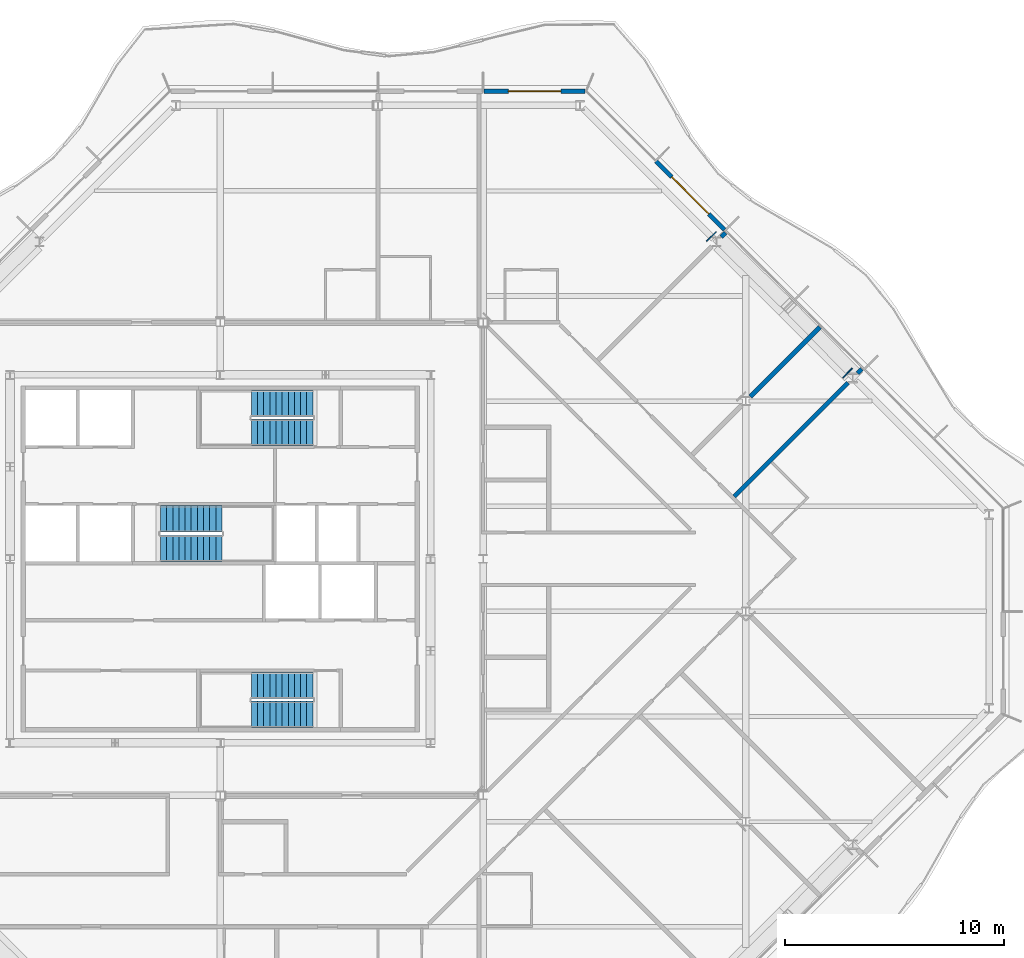
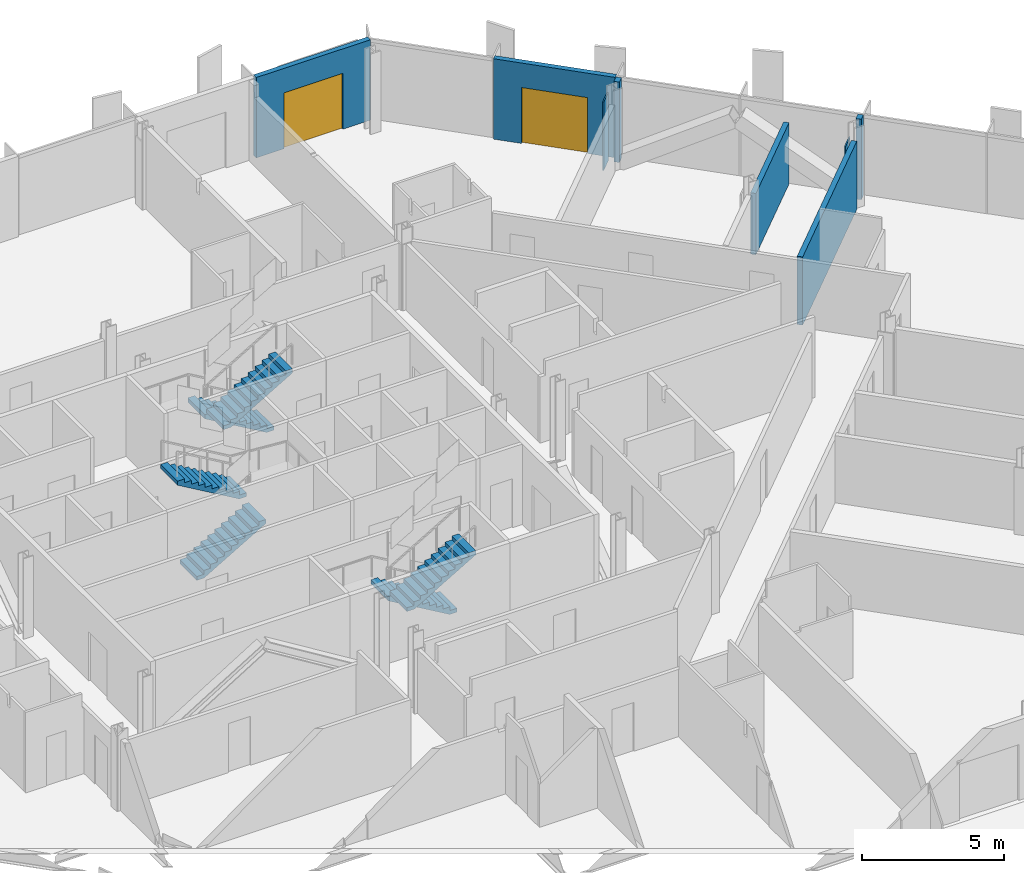
# One storey, part 12 of 17: 8 walls, 6 stair flights, 2 doors, 2 openings, 3 elements without a shape of their own.
"""IFC4 building model written with IfcOpenShell, lengths in metres."""

from ifc_helpers import new_model, si_unit, direction, frame, frame_2d, origin, place, context, subcontext, project, spatial, polyline, rectangle, outline, extrude, material, layer, layer_set, type_object, element, fill, aggregate, save


model = new_model("IFC4")

# Units and contexts
model_context = context("Model", 3, precision=1e-05, world=origin(), true_north=direction((0.0, 1.0)))
body_context = subcontext(model_context, "Body", "Model", "MODEL_VIEW")
ifc_project = project(units=[si_unit("LENGTHUNIT", "METRE"), si_unit("AREAUNIT", "SQUARE_METRE"), si_unit("VOLUMEUNIT", "CUBIC_METRE"), si_unit("PLANEANGLEUNIT", "RADIAN"), si_unit("MASSUNIT", "GRAM", prefix="KILO")], contexts=[model_context])

# Site, building, storey
site_placement = place(None, origin())
site = spatial("IfcSite", under=ifc_project, at=site_placement, CompositionType="ELEMENT")
building_placement = place(site_placement, origin())
building = spatial("IfcBuilding", under=site, at=building_placement, Name="Cairn Pilgrim Tower", CompositionType="ELEMENT")
storey_placement = place(building_placement, frame((0.0, 0.0, 221.39990234375)))
storey = spatial("IfcBuildingStorey", under=building, at=storey_placement, Name="L56", CompositionType="ELEMENT", Elevation=221.39990234375)

# Wall, opening, door
ifc_material_1 = material(Name="Bronze anodised aluminium insulated sandwich panel with mineral wool fill", Category="aluminium")
ifc_layer_1 = layer(ifc_material_1, 0.199951171875)
ifc_layer_set_1 = layer_set([ifc_layer_1], Name="BRONZE INFILL FRAME WALL 200")
wall_type_1 = type_object("IfcWallType", Name="BRONZE INFILL FRAME WALL 200", PredefinedType="NOTDEFINED", material=ifc_layer_set_1)
wall_1_placement = place(storey_placement, frame((30.226318359375, 17.419921875, 0.0), z_axis=(0.0, 0.0, 1.0), x_axis=(-0.707079231393, 0.707134329907, 0.0)))
wall_1 = element("IfcWall", 1, at=wall_1_placement, inside=storey, type_object=wall_type_1, Name="Bronze infill frame wall IW-NE5", PredefinedType="NOTDEFINED", context=body_context, shape_type="SweptSolid", body=[
    extrude(rectangle(XDim=4.430908203125, YDim=0.199951171875, at=frame_2d((2.21533203125, 0.0))), origin(), (0.0, 0.0, 1.0), 3.4501953125),
])
opening_1_placement = place(wall_1_placement, frame((1.01513671875, 0.0, 0.0)))
opening_1 = element("IfcOpeningElement", 2, at=opening_1_placement, cuts=wall_1, Name="Opening 5608B2", PredefinedType="OPENING", context=body_context, shape_type="SweptSolid", body=[
    extrude(rectangle(XDim=2.39990234375, YDim=2.39990234375, at=frame_2d((1.199951171875, 1.199951171875))), frame((0.0, 0.10986328125, 0.0), z_axis=(0.0, -1.0, 0.0), x_axis=(1.0, 0.0, 0.0)), (0.0, 0.0, 1.0), 0.219970703125),
])
ifc_material_2 = material(Name="Bronze anodised aluminium frame with tinted low-E glass", Category="aluminium")
door_type = type_object("IfcDoorType", Name="BALCONY SLIDING DOOR 2400x2400", OperationType="DOUBLE_DOOR_SLIDING", PredefinedType="DOOR", material=ifc_material_2)
door_1_placement = place(opening_1_placement, origin())
door_1 = element("IfcDoor", 3, at=door_1_placement, inside=storey, type_object=door_type, Name="Balcony sliding door 5608B2", OperationType="SINGLE_SWING_LEFT", OverallHeight=2.39990234375, OverallWidth=2.39990234375, PredefinedType="DOOR", context=body_context, shape_type="SweptSolid", body=[
    extrude(rectangle(XDim=2.39990234375, YDim=2.39990234375, at=frame_2d((1.199951171875, 1.199951171875))), frame((0.0, 0.02490234375, 0.0), z_axis=(0.0, -1.0, 0.0), x_axis=(1.0, 0.0, 0.0)), (0.0, 0.0, 1.0), 0.050048828125),
])
fill(opening_1, door_1)

wall_2_placement = place(storey_placement, frame((23.8564453125, 23.75, 0.0), z_axis=(0.0, 0.0, 1.0), x_axis=(-1.0, 0.0, 0.0)))
wall_2 = element("IfcWall", 4, at=wall_2_placement, inside=storey, type_object=wall_type_1, Name="Bronze infill frame wall IW-N1", PredefinedType="NOTDEFINED", context=body_context, shape_type="SweptSolid", body=[
    extrude(rectangle(XDim=4.62646484375, YDim=0.199951171875, at=frame_2d((2.313232421875, 0.0))), origin(), (0.0, 0.0, 1.0), 3.4501953125),
])
opening_2_placement = place(wall_2_placement, frame((1.1083984375, 0.0, 0.0)))
opening_2 = element("IfcOpeningElement", 5, at=opening_2_placement, cuts=wall_2, Name="Opening 5608B", PredefinedType="OPENING", context=body_context, shape_type="SweptSolid", body=[
    extrude(rectangle(XDim=2.39990234375, YDim=2.39990234375, at=frame_2d((1.199951171875, 1.199951171875))), frame((0.0, 0.10986328125, 0.0), z_axis=(0.0, -1.0, 0.0), x_axis=(1.0, 0.0, 0.0)), (0.0, 0.0, 1.0), 0.219970703125),
])
door_2_placement = place(opening_2_placement, origin())
door_2 = element("IfcDoor", 6, at=door_2_placement, inside=storey, type_object=door_type, Name="Balcony sliding door 5608B", OperationType="SINGLE_SWING_LEFT", OverallHeight=2.39990234375, OverallWidth=2.39990234375, PredefinedType="DOOR", context=body_context, shape_type="SweptSolid", body=[
    extrude(rectangle(XDim=2.39990234375, YDim=2.39990234375, at=frame_2d((1.199951171875, 1.199951171875))), frame((0.0, 0.02490234375, 0.0), z_axis=(0.0, -1.0, 0.0), x_axis=(1.0, 0.0, 0.0)), (0.0, 0.0, 1.0), 0.050048828125),
])
fill(opening_2, door_2)

# Walls
ifc_material_3 = material(Name="Gypsum partition")
ifc_layer_2 = layer(ifc_material_3, 0.050048828125)
ifc_layer_set_2 = layer_set([ifc_layer_2], Name="PARTITION 50 DRYWALL EI 60")
wall_type_2 = type_object("IfcWallType", Name="PARTITION 50 DRYWALL EI 60", PredefinedType="PARTITIONING", material=ifc_layer_set_2)
wall_3_placement = place(storey_placement, frame((35.626953125, 10.669189453125, 0.0), z_axis=(0.0, 0.0, 1.0), x_axis=(0.707307009627, 0.706906496032, 0.0)))
element("IfcWall", 7, at=wall_3_placement, inside=storey, type_object=wall_type_2, Name="COLUMN CASING WC19", PredefinedType="PARTITIONING", context=body_context, shape_type="SweptSolid", body=[
    extrude(rectangle(XDim=0.609619140625, YDim=0.050048828125, at=frame_2d((0.3046875, 0.0))), origin(), (0.0, 0.0, 1.0), 2.630126953125),
])
wall_4_placement = place(storey_placement, frame((29.40283203125, 16.893310546875, 0.0), z_axis=(0.0, 0.0, 1.0), x_axis=(0.706906496032, 0.707307009627, 0.0)))
element("IfcWall", 8, at=wall_4_placement, inside=storey, type_object=wall_type_2, Name="COLUMN CASING WC21", PredefinedType="PARTITIONING", context=body_context, shape_type="SweptSolid", body=[
    extrude(rectangle(XDim=0.609619140625, YDim=0.050048828125, at=frame_2d((0.3046875, 0.0))), origin(), (0.0, 0.0, 1.0), 2.93017578125),
])
ifc_layer_3 = layer(ifc_material_3, 0.199951171875)
ifc_layer_set_3 = layer_set([ifc_layer_3], Name="SHAFT WALL 200 GYPSUM EI 60")
wall_type_3 = type_object("IfcWallType", Name="SHAFT WALL 200 GYPSUM EI 60", PredefinedType="PARTITIONING", material=ifc_layer_set_3)
wall_5_placement = place(storey_placement, frame((30.662109375, 5.238037109375, 0.0), z_axis=(0.0, 0.0, 1.0), x_axis=(0.707106781187, 0.707106781187, 0.0)))
element("IfcWall", 9, at=wall_5_placement, inside=storey, type_object=wall_type_3, Name="PARTITION W054", PredefinedType="PARTITIONING", context=body_context, shape_type="SweptSolid", body=[
    extrude(rectangle(XDim=7.35107421875, YDim=0.199951171875, at=frame_2d((3.675537109375, 0.0))), origin(), (0.0, 0.0, 1.0), 2.93017578125),
])
wall_6_placement = place(storey_placement, frame((31.39794921875, 9.798095703125, 0.0), z_axis=(0.0, 0.0, 1.0), x_axis=(0.707133900936, 0.707079660397, 0.0)))
element("IfcWall", 10, at=wall_6_placement, inside=storey, type_object=wall_type_3, Name="PARTITION W059", PredefinedType="PARTITIONING", context=body_context, shape_type="SweptSolid", body=[
    extrude(rectangle(XDim=4.5009765625, YDim=0.199951171875, at=frame_2d((2.25048828125, 0.0))), origin(), (0.0, 0.0, 1.0), 2.630126953125),
])
wall_7_placement = place(storey_placement, frame((36.291015625, 10.8671875, 0.0), z_axis=(0.0, 0.0, 1.0), x_axis=(0.707534423513, 0.706678880075, 0.0)))
element("IfcWall", 11, at=wall_7_placement, inside=storey, type_object=wall_type_3, Name="PARTITION W060", PredefinedType="PARTITIONING", context=body_context, shape_type="SweptSolid", body=[
    extrude(rectangle(XDim=0.285400390625, YDim=0.199951171875, at=frame_2d((0.142578125, 0.0))), origin(), (0.0, 0.0, 1.0), 3.4501953125),
])
wall_8_placement = place(storey_placement, frame((30.067138671875, 17.091064453125, 0.0), z_axis=(0.0, 0.0, 1.0), x_axis=(0.707106781187, 0.707106781187, 0.0)))
element("IfcWall", 12, at=wall_8_placement, inside=storey, type_object=wall_type_3, Name="PARTITION W074", PredefinedType="PARTITIONING", context=body_context, shape_type="SweptSolid", body=[
    extrude(rectangle(XDim=0.28515625, YDim=0.199951171875, at=frame_2d((0.142578125, 0.0))), origin(), (0.0, 0.0, 1.0), 3.4501953125),
])

# Stair, stair flights
ifc_material_4 = material(Name="Concrete C32/40", Category="concrete")
stair_type = type_object("IfcStairType", Name="EXIT STAIR 1200", PredefinedType="HALF_TURN_STAIR", material=ifc_material_4)
stair_1_placement = place(storey_placement, origin())
stair_1 = element("IfcStair", 13, at=stair_1_placement, inside=storey, type_object=stair_type, Name="L56 Exit Stair A", PredefinedType="HALF_TURN_STAIR")
stair_flight_type = type_object("IfcStairFlightType", Name="STAIR FLIGHT 1200", PredefinedType="STRAIGHT", material=ifc_material_4)
stair_flight_1_placement = place(storey_placement, frame((11.425048828125, -3.375, 0.0), z_axis=(0.0, 0.0, 1.0), x_axis=(-1.0, 0.0, 0.0)))
stair_flight_1 = element("IfcStairFlight", 14, at=stair_flight_1_placement, type_object=stair_flight_type, Name="ST-A flight 1", NumberOfRisers=11, NumberOfTreads=10, PredefinedType="STRAIGHT", RiserHeight=0.163636364, TreadLength=0.28, context=body_context, shape_type="SweptSolid", body=[
    extrude(outline(polyline([(0.0, 0.0), (0.0, 0.16357421875), (0.280029296875, 0.16357421875), (0.280029296875, 0.327392578125), (0.56005859375, 0.327392578125), (0.56005859375, 0.490966796875), (0.840087890625, 0.490966796875), (0.840087890625, 0.654541015625), (1.1201171875, 0.654541015625), (1.1201171875, 0.818115234375), (1.39990234375, 0.818115234375), (1.39990234375, 0.98193359375), (1.679931640625, 0.98193359375), (1.679931640625, 1.1455078125), (1.9599609375, 1.1455078125), (1.9599609375, 1.30908203125), (2.239990234375, 1.30908203125), (2.239990234375, 1.47265625), (2.52001953125, 1.47265625), (2.52001953125, 1.636474609375), (2.800048828125, 1.636474609375), (2.800048828125, 1.800048828125), (2.800048828125, 1.462646484375), (0.297119140625, 0.0), (0.0, 0.0)])), frame((0.0, 0.60009765625, 0.0), z_axis=(0.0, -1.0, 0.0), x_axis=(1.0, 0.0, 0.0)), (0.0, 0.0, 1.0), 1.199951171875),
])
stair_flight_2_placement = place(storey_placement, frame((8.625, -4.699951171875, 1.800048828125), z_axis=(0.0, 0.0, 1.0), x_axis=(1.0, 0.0, 0.0)))
stair_flight_2 = element("IfcStairFlight", 15, at=stair_flight_2_placement, type_object=stair_flight_type, Name="ST-A flight 2", NumberOfRisers=11, NumberOfTreads=10, PredefinedType="STRAIGHT", RiserHeight=0.163636364, TreadLength=0.28, context=body_context, shape_type="SweptSolid", body=[
    extrude(outline(polyline([(0.0, 0.0), (0.0, 0.16357421875), (0.280029296875, 0.16357421875), (0.280029296875, 0.327392578125), (0.56005859375, 0.327392578125), (0.56005859375, 0.490966796875), (0.840087890625, 0.490966796875), (0.840087890625, 0.654541015625), (1.1201171875, 0.654541015625), (1.1201171875, 0.818115234375), (1.39990234375, 0.818115234375), (1.39990234375, 0.98193359375), (1.679931640625, 0.98193359375), (1.679931640625, 1.1455078125), (1.9599609375, 1.1455078125), (1.9599609375, 1.30908203125), (2.239990234375, 1.30908203125), (2.239990234375, 1.47265625), (2.52001953125, 1.47265625), (2.52001953125, 1.636474609375), (2.800048828125, 1.636474609375), (2.800048828125, 1.800048828125), (2.800048828125, 1.462646484375), (0.297119140625, 0.0), (0.0, 0.0)])), frame((0.0, 0.60009765625, 0.0), z_axis=(0.0, -1.0, 0.0), x_axis=(1.0, 0.0, 0.0)), (0.0, 0.0, 1.0), 1.199951171875),
])
aggregate(stair_1, [stair_flight_1, stair_flight_2])

stair_2_placement = place(storey_placement, origin())
stair_2 = element("IfcStair", 16, at=stair_2_placement, inside=storey, type_object=stair_type, Name="L56 Exit Stair B", PredefinedType="HALF_TURN_STAIR")
stair_flight_3_placement = place(storey_placement, frame((4.47509765625, 2.875, 0.0), z_axis=(0.0, 0.0, 1.0), x_axis=(1.0, 0.0, 0.0)))
stair_flight_3 = element("IfcStairFlight", 17, at=stair_flight_3_placement, type_object=stair_flight_type, Name="ST-B flight 1", NumberOfRisers=11, NumberOfTreads=10, PredefinedType="STRAIGHT", RiserHeight=0.163636364, TreadLength=0.28, context=body_context, shape_type="SweptSolid", body=[
    extrude(outline(polyline([(0.0, 0.0), (0.0, 0.16357421875), (0.280029296875, 0.16357421875), (0.280029296875, 0.327392578125), (0.56005859375, 0.327392578125), (0.56005859375, 0.490966796875), (0.840087890625, 0.490966796875), (0.840087890625, 0.654541015625), (1.1201171875, 0.654541015625), (1.1201171875, 0.818115234375), (1.39990234375, 0.818115234375), (1.39990234375, 0.98193359375), (1.679931640625, 0.98193359375), (1.679931640625, 1.1455078125), (1.9599609375, 1.1455078125), (1.9599609375, 1.30908203125), (2.239990234375, 1.30908203125), (2.239990234375, 1.47265625), (2.52001953125, 1.47265625), (2.52001953125, 1.636474609375), (2.800048828125, 1.636474609375), (2.800048828125, 1.800048828125), (2.800048828125, 1.462646484375), (0.297119140625, 0.0), (0.0, 0.0)])), frame((0.0, 0.60009765625, 0.0), z_axis=(0.0, -1.0, 0.0), x_axis=(1.0, 0.0, 0.0)), (0.0, 0.0, 1.0), 1.199951171875),
])
stair_flight_4_placement = place(storey_placement, frame((7.27490234375, 4.22509765625, 1.800048828125), z_axis=(0.0, 0.0, 1.0), x_axis=(-1.0, 0.0, 0.0)))
stair_flight_4 = element("IfcStairFlight", 18, at=stair_flight_4_placement, type_object=stair_flight_type, Name="ST-B flight 2", NumberOfRisers=11, NumberOfTreads=10, PredefinedType="STRAIGHT", RiserHeight=0.163636364, TreadLength=0.28, context=body_context, shape_type="SweptSolid", body=[
    extrude(outline(polyline([(0.0, 0.0), (0.0, 0.16357421875), (0.280029296875, 0.16357421875), (0.280029296875, 0.327392578125), (0.56005859375, 0.327392578125), (0.56005859375, 0.490966796875), (0.840087890625, 0.490966796875), (0.840087890625, 0.654541015625), (1.1201171875, 0.654541015625), (1.1201171875, 0.818115234375), (1.39990234375, 0.818115234375), (1.39990234375, 0.98193359375), (1.679931640625, 0.98193359375), (1.679931640625, 1.1455078125), (1.9599609375, 1.1455078125), (1.9599609375, 1.30908203125), (2.239990234375, 1.30908203125), (2.239990234375, 1.47265625), (2.52001953125, 1.47265625), (2.52001953125, 1.636474609375), (2.800048828125, 1.636474609375), (2.800048828125, 1.800048828125), (2.800048828125, 1.462646484375), (0.297119140625, 0.0), (0.0, 0.0)])), frame((0.0, 0.60009765625, 0.0), z_axis=(0.0, -1.0, 0.0), x_axis=(1.0, 0.0, 0.0)), (0.0, 0.0, 1.0), 1.199951171875),
])
aggregate(stair_2, [stair_flight_3, stair_flight_4])

stair_3_placement = place(storey_placement, origin())
stair_3 = element("IfcStair", 19, at=stair_3_placement, inside=storey, type_object=stair_type, Name="L56 Exit Stair C", PredefinedType="HALF_TURN_STAIR")
stair_flight_5_placement = place(storey_placement, frame((11.425048828125, 9.5, 0.0), z_axis=(0.0, 0.0, 1.0), x_axis=(-1.0, 0.0, 0.0)))
stair_flight_5 = element("IfcStairFlight", 20, at=stair_flight_5_placement, type_object=stair_flight_type, Name="ST-C flight 1", NumberOfRisers=11, NumberOfTreads=10, PredefinedType="STRAIGHT", RiserHeight=0.163636364, TreadLength=0.28, context=body_context, shape_type="SweptSolid", body=[
    extrude(outline(polyline([(0.0, 0.0), (0.0, 0.16357421875), (0.280029296875, 0.16357421875), (0.280029296875, 0.327392578125), (0.56005859375, 0.327392578125), (0.56005859375, 0.490966796875), (0.840087890625, 0.490966796875), (0.840087890625, 0.654541015625), (1.1201171875, 0.654541015625), (1.1201171875, 0.818115234375), (1.39990234375, 0.818115234375), (1.39990234375, 0.98193359375), (1.679931640625, 0.98193359375), (1.679931640625, 1.1455078125), (1.9599609375, 1.1455078125), (1.9599609375, 1.30908203125), (2.239990234375, 1.30908203125), (2.239990234375, 1.47265625), (2.52001953125, 1.47265625), (2.52001953125, 1.636474609375), (2.800048828125, 1.636474609375), (2.800048828125, 1.800048828125), (2.800048828125, 1.462646484375), (0.297119140625, 0.0), (0.0, 0.0)])), frame((0.0, 0.60009765625, 0.0), z_axis=(0.0, -1.0, 0.0), x_axis=(1.0, 0.0, 0.0)), (0.0, 0.0, 1.0), 1.199951171875),
])
stair_flight_6_placement = place(storey_placement, frame((8.625, 8.175048828125, 1.800048828125), z_axis=(0.0, 0.0, 1.0), x_axis=(1.0, 0.0, 0.0)))
stair_flight_6 = element("IfcStairFlight", 21, at=stair_flight_6_placement, type_object=stair_flight_type, Name="ST-C flight 2", NumberOfRisers=11, NumberOfTreads=10, PredefinedType="STRAIGHT", RiserHeight=0.163636364, TreadLength=0.28, context=body_context, shape_type="SweptSolid", body=[
    extrude(outline(polyline([(0.0, 0.0), (0.0, 0.16357421875), (0.280029296875, 0.16357421875), (0.280029296875, 0.327392578125), (0.56005859375, 0.327392578125), (0.56005859375, 0.490966796875), (0.840087890625, 0.490966796875), (0.840087890625, 0.654541015625), (1.1201171875, 0.654541015625), (1.1201171875, 0.818115234375), (1.39990234375, 0.818115234375), (1.39990234375, 0.98193359375), (1.679931640625, 0.98193359375), (1.679931640625, 1.1455078125), (1.9599609375, 1.1455078125), (1.9599609375, 1.30908203125), (2.239990234375, 1.30908203125), (2.239990234375, 1.47265625), (2.52001953125, 1.47265625), (2.52001953125, 1.636474609375), (2.800048828125, 1.636474609375), (2.800048828125, 1.800048828125), (2.800048828125, 1.462646484375), (0.297119140625, 0.0), (0.0, 0.0)])), frame((0.0, 0.60009765625, 0.0), z_axis=(0.0, -1.0, 0.0), x_axis=(1.0, 0.0, 0.0)), (0.0, 0.0, 1.0), 1.199951171875),
])
aggregate(stair_3, [stair_flight_5, stair_flight_6])

save(model, "model.ifc")
